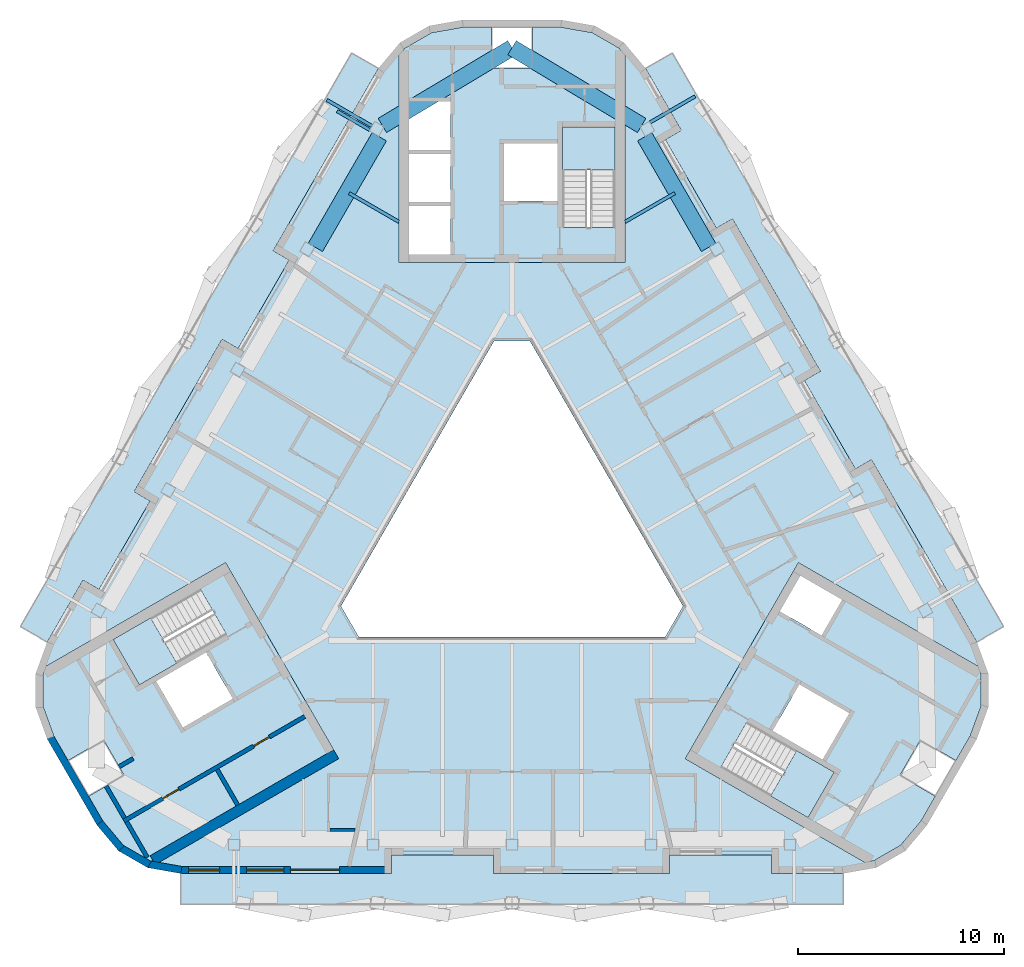
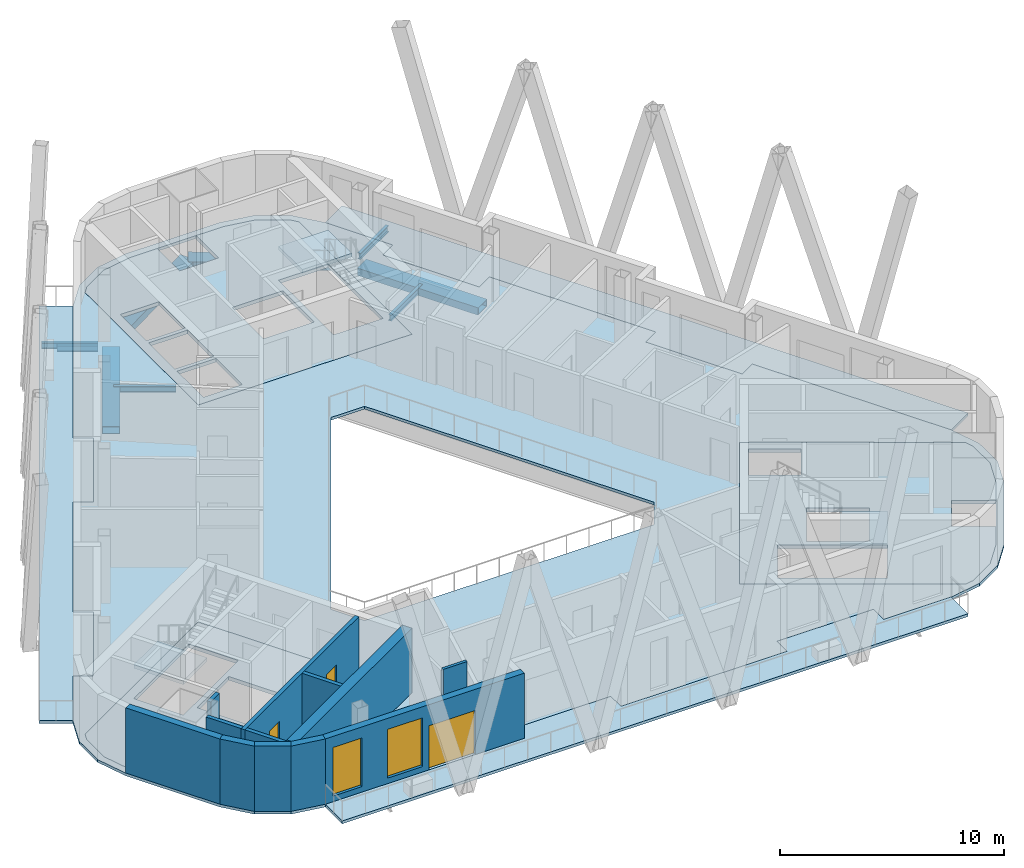
# One storey, part 2 of 12: 12 walls, 10 slabs, 9 beams, 3 doors, 2 windows, 5 openings, 3 elements without a shape of their own.
"""IFC4 building model written with IfcOpenShell, lengths in metres."""

from ifc_helpers import new_model, si_unit, direction, frame, frame_2d, origin, origin_2d, place, context, subcontext, project, spatial, polyline, rectangle, hollow_rectangle, i_section, outline, extrude, material, layer, layer_set, material_profile, profile_set, type_object, element, fill, aggregate, save


model = new_model("IFC4")

# Units and contexts
model_context = context("Model", 3, precision=1e-05, world=origin(), true_north=direction((0.0, 1.0)))
body_context = subcontext(model_context, "Body", "Model", "MODEL_VIEW")
ifc_project = project(units=[si_unit("LENGTHUNIT", "METRE"), si_unit("AREAUNIT", "SQUARE_METRE"), si_unit("VOLUMEUNIT", "CUBIC_METRE"), si_unit("PLANEANGLEUNIT", "RADIAN"), si_unit("MASSUNIT", "GRAM", prefix="KILO")], contexts=[model_context])

# Site, building, storey
site_placement = place(None, origin())
site = spatial("IfcSite", under=ifc_project, at=site_placement, CompositionType="ELEMENT")
building_placement = place(site_placement, origin())
building = spatial("IfcBuilding", under=site, at=building_placement, Name="Apuvela Tower Hotel", CompositionType="ELEMENT")
storey_placement = place(building_placement, frame((0.0, 0.0, 302.199951171875)))
storey = spatial("IfcBuildingStorey", under=building, at=storey_placement, Name="L75", CompositionType="ELEMENT", Elevation=302.199951171875)

# Beams
ifc_material_1 = material(Name="Steel S355", Category="steel")
ifc_material_profile_1 = material_profile(ifc_material_1, i_section(OverallWidth=0.159912109375, OverallDepth=0.330078125, WebThickness=0.007568359375, FlangeThickness=0.011474609375, at=origin_2d()), Name="IPE 330")
ifc_profile_set_1 = profile_set([ifc_material_profile_1], Name="Steel S355")
beam_type_1 = type_object("IfcBeamType", Name="ENV-BALCONY-BEAM-IPE330", PredefinedType="BEAM", material=ifc_profile_set_1)
beam_1_placement = place(storey_placement, frame((6.711181640625, 19.714599609375, -0.31494140625), z_axis=(0.86602137294, 0.500006981563, 0.0), x_axis=(-0.500006981563, 0.86602137294, 0.0)))
element("IfcBeam", 1, at=beam_1_placement, inside=storey, type_object=beam_type_1, Name="Balcony cantilever beam NE3 L75", PredefinedType="BEAM", context=body_context, shape_type="SweptSolid", body=[
    extrude(i_section(OverallWidth=0.159912109375, OverallDepth=0.330078125, WebThickness=0.007568359375, FlangeThickness=0.011474609375, at=origin_2d()), origin(), (0.0, 0.0, 1.0), 2.525390625),
])
beam_2_placement = place(storey_placement, frame((-6.811279296875, 19.54150390625, -0.31494140625), z_axis=(-0.866039067339, 0.499976333282, 0.0), x_axis=(-0.499976333282, -0.866039067339, 0.0)))
element("IfcBeam", 2, at=beam_2_placement, inside=storey, type_object=beam_type_1, Name="Balcony cantilever beam NW1 L75", PredefinedType="BEAM", context=body_context, shape_type="SweptSolid", body=[
    extrude(i_section(OverallWidth=0.159912109375, OverallDepth=0.330078125, WebThickness=0.007568359375, FlangeThickness=0.011474609375, at=origin_2d()), origin(), (0.0, 0.0, 1.0), 2.52490234375),
])
beam_3_placement = place(storey_placement, frame((-6.92138671875, 19.35107421875, -0.31494140625), z_axis=(-0.866036312054, 0.499981105847, 0.0), x_axis=(-0.499981105847, -0.866036312054, 0.0)))
element("IfcBeam", 3, at=beam_3_placement, inside=storey, type_object=beam_type_1, Name="Balcony cantilever beam NW2 L75", PredefinedType="BEAM", context=body_context, shape_type="SweptSolid", body=[
    extrude(i_section(OverallWidth=0.159912109375, OverallDepth=0.330078125, WebThickness=0.007568359375, FlangeThickness=0.011474609375, at=origin_2d()), origin(), (0.0, 0.0, 1.0), 1.82470703125),
])
ifc_material_profile_2 = material_profile(ifc_material_1, i_section(OverallWidth=0.159912109375, OverallDepth=0.330078125, WebThickness=0.007568359375, FlangeThickness=0.011474609375, at=origin_2d()), Name="IPE 330")
ifc_profile_set_2 = profile_set([ifc_material_profile_2], Name="Steel S355")
beam_type_2 = type_object("IfcBeamType", Name="STR-B floor beam IPE 330", PredefinedType="BEAM", material=ifc_profile_set_2)
for number, where, z_axis, x_axis, name in (
    (4, (7.91650390625, 16.27734375, -0.31494140625), (-0.86601074026, -0.500025397109, 0.0), (0.500025397109, -0.86601074026, 0.0), "Floor beam B1 NE8"),
    (5, (-7.91650390625, 16.27734375, -0.31494140625), (0.86601074026, -0.500025397109, 0.0), (0.500025397109, 0.86601074026, 0.0), "Floor beam B1 NW2"),
):
    element("IfcBeam", number, at=place(storey_placement, frame(where, z_axis=z_axis, x_axis=x_axis)), inside=storey, type_object=beam_type_2, Name=name, PredefinedType="BEAM", context=body_context, shape_type="SweptSolid", body=[
        extrude(i_section(OverallWidth=0.159912109375, OverallDepth=0.330078125, WebThickness=0.007568359375, FlangeThickness=0.011474609375, at=origin_2d()), origin(), (0.0, 0.0, 1.0), 2.790283203125),
    ])
ifc_material_2 = material(Name="Steel S460", Category="steel")
ifc_material_profile_3 = material_profile(ifc_material_2, hollow_rectangle(XDim=0.800048828125, YDim=0.39990234375, WallThickness=0.02490234375, at=origin_2d()), Name="BOX 800x400x25")
ifc_profile_set_3 = profile_set([ifc_material_profile_3], Name="Steel S460")
beam_type_3 = type_object("IfcBeamType", Name="STR-RB perimeter ring beam BOX 800x400x25", PredefinedType="SPANDREL", material=ifc_profile_set_3)
for number, where, z_axis, x_axis, name in (
    (6, (9.555419921875, 13.638916015625, -0.39990234375), (-0.500012907384, 0.866017951575, 0.0), (-0.866017951575, -0.500012907384, 0.0), "Ring beam RB1 NE4"),
    (7, (-6.450927734375, 19.015869140625, -0.39990234375), (-0.500012907384, -0.866017951575, 0.0), (0.866017951575, -0.500012907384, 0.0), "Ring beam RB1 NW1"),
):
    element("IfcBeam", number, at=place(storey_placement, frame(where, z_axis=z_axis, x_axis=x_axis)), inside=storey, type_object=beam_type_3, Name=name, PredefinedType="SPANDREL", context=body_context, shape_type="SweptSolid", body=[
        extrude(hollow_rectangle(XDim=0.800048828125, YDim=0.39990234375, WallThickness=0.02490234375, at=origin_2d()), origin(), (0.0, 0.0, 1.0), 6.208740234375),
    ])
for number, where, z_axis, x_axis, name in (
    (8, (6.30322265625, 19.565673828125, -0.39990234375), (-0.857870902617, 0.513865268765, 0.0), (-0.513865268765, -0.857870902617, 0.0), "Ring beam RB1 NE5-N"),
    (9, (-6.30322265625, 19.565673828125, -0.39990234375), (0.857870902617, 0.513865268765, 0.0), (-0.513865268765, 0.857870902617, 0.0), "Ring beam RB1 NW1-N"),
):
    element("IfcBeam", number, at=place(storey_placement, frame(where, z_axis=z_axis, x_axis=x_axis)), inside=storey, type_object=beam_type_3, Name=name, PredefinedType="SPANDREL", context=body_context, shape_type="SweptSolid", body=[
        extrude(hollow_rectangle(XDim=0.800048828125, YDim=0.39990234375, WallThickness=0.02490234375, at=origin_2d()), origin(), (0.0, 0.0, 1.0), 7.347412109375),
    ])

# Slabs
ifc_material_3 = material(Name="Concrete C50/60", Category="concrete")
ifc_layer_1 = layer(ifc_material_3, 0.199951171875)
ifc_layer_set_1 = layer_set([ifc_layer_1], Name="COR-FLOOR-200")
slab_type_1 = type_object("IfcSlabType", Name="COR-FLOOR-200", PredefinedType="FLOOR", material=ifc_layer_set_1)
slab_1_placement = place(storey_placement, frame((0.0, 0.0, -0.199951171875)))
element("IfcSlab", 10, at=slab_1_placement, inside=storey, type_object=slab_type_1, Name="Core floor N", PredefinedType="FLOOR", context=body_context, shape_type="SweptSolid", body=[
    extrude(outline(polyline([(5.5, 22.98046875), (5.216552734375, 23.318115234375), (3.908203125, 24.073486328125), (2.389892578125, 24.34130859375), (1.0, 24.34130859375), (1.0, 22.34130859375), (-1.0, 22.34130859375), (-1.0, 24.34130859375), (-2.389892578125, 24.34130859375), (-3.908203125, 24.073486328125), (-5.216552734375, 23.318115234375), (-5.5, 22.98046875), (-5.5, 12.89990234375), (5.5, 12.89990234375), (5.5, 22.98046875)]), holes=[polyline([(-3.0, 13.300048828125), (-5.0, 13.300048828125), (-5.0, 15.639892578125), (-3.0, 15.639892578125), (-3.0, 13.300048828125)]), polyline([(-3.0, 15.840087890625), (-5.0, 15.840087890625), (-5.0, 18.179931640625), (-3.0, 18.179931640625), (-3.0, 15.840087890625)]), polyline([(5.0, 14.60595703125), (2.449951171875, 14.60595703125), (2.449951171875, 19.5), (5.0, 19.5), (5.0, 14.60595703125)]), polyline([(2.199951171875, 18.699951171875), (2.199951171875, 15.89990234375), (-0.39990234375, 15.89990234375), (-0.39990234375, 18.699951171875), (2.199951171875, 18.699951171875)]), polyline([(-3.0, 20.719970703125), (-3.0, 18.3798828125), (-5.0, 18.3798828125), (-5.0, 20.719970703125), (-3.0, 20.719970703125)])]), origin(), (0.0, 0.0, 1.0), 0.199951171875),
])
slab_2_placement = place(storey_placement, frame((0.0, 0.0, -0.199951171875)))
element("IfcSlab", 11, at=slab_2_placement, inside=storey, type_object=slab_type_1, Name="Core floor SW", PredefinedType="FLOOR", context=body_context, shape_type="SweptSolid", body=[
    extrude(outline(polyline([(-22.651611328125, -6.72705078125), (-22.802490234375, -7.141357421875), (-22.802490234375, -8.652099609375), (-22.275146484375, -10.10107421875), (-21.580078125, -11.3046875), (-19.84814453125, -10.3046875), (-18.84814453125, -12.03662109375), (-20.580078125, -13.03662109375), (-19.88525390625, -14.240234375), (-18.894287109375, -15.42138671875), (-17.585693359375, -16.1767578125), (-17.151611328125, -16.25341796875), (-8.421630859375, -11.213134765625), (-13.921630859375, -1.68701171875), (-22.651611328125, -6.72705078125)]), holes=[polyline([(-13.874267578125, -5.18115234375), (-18.112548828125, -7.628173828125), (-19.387451171875, -5.419921875), (-15.149169921875, -2.972900390625), (-13.874267578125, -5.18115234375)]), polyline([(-13.56982421875, -8.29638671875), (-15.99462890625, -9.6962890625), (-17.294677734375, -7.444580078125), (-14.869873046875, -6.044677734375), (-13.56982421875, -8.29638671875)])]), origin(), (0.0, 0.0, 1.0), 0.199951171875),
])
slab_3_placement = place(storey_placement, frame((0.0, 0.0, -0.199951171875)))
element("IfcSlab", 12, at=slab_3_placement, inside=storey, type_object=slab_type_1, Name="Core floor SE", PredefinedType="FLOOR", context=body_context, shape_type="SweptSolid", body=[
    extrude(outline(polyline([(17.151611328125, -16.25341796875), (17.585693359375, -16.1767578125), (18.894287109375, -15.42138671875), (19.88525390625, -14.240234375), (20.580078125, -13.03662109375), (18.84814453125, -12.03662109375), (19.84814453125, -10.3046875), (21.580078125, -11.3046875), (22.275146484375, -10.10107421875), (22.802490234375, -8.652099609375), (22.802490234375, -7.141357421875), (22.651611328125, -6.72705078125), (13.921630859375, -1.68701171875), (8.421630859375, -11.213134765625), (17.151611328125, -16.25341796875)]), holes=[polyline([(14.01806640625, -2.31982421875), (16.044677734375, -3.489990234375), (15.044677734375, -5.221923828125), (13.01806640625, -4.052001953125), (14.01806640625, -2.31982421875)]), polyline([(10.149169921875, -11.633056640625), (11.42431640625, -9.4248046875), (15.66259765625, -11.871826171875), (14.387451171875, -14.080078125), (10.149169921875, -11.633056640625)]), polyline([(12.669921875, -9.855224609375), (13.9697265625, -7.603515625), (16.394775390625, -9.003662109375), (15.0947265625, -11.25537109375), (12.669921875, -9.855224609375)])]), origin(), (0.0, 0.0, 1.0), 0.199951171875),
])

# Stair, slab
stair_type = type_object("IfcStairType", Name="COR-STAIR-22R", PredefinedType="HALF_TURN_STAIR", material=ifc_material_3)
stair_1_placement = place(storey_placement, origin())
stair_1 = element("IfcStair", 13, at=stair_1_placement, inside=storey, type_object=stair_type, Name="L75 Exit stair ST1", PredefinedType="HALF_TURN_STAIR")
ifc_layer_2 = layer(ifc_material_3, 0.199951171875)
ifc_layer_set_2 = layer_set([ifc_layer_2], Name="COR-LANDING-200")
slab_type_2 = type_object("IfcSlabType", Name="COR-LANDING-200", PredefinedType="LANDING", material=ifc_layer_set_2)
slab_4_placement = place(storey_placement, frame((0.0, 0.0, 1.650146484375)))
slab_4 = element("IfcSlab", 14, at=slab_4_placement, type_object=slab_type_2, Name="ST1 landing 1", PredefinedType="LANDING", context=body_context, shape_type="SweptSolid", body=[
    extrude(outline(polyline([(5.0, 17.39404296875), (5.0, 19.5), (2.449951171875, 19.5), (2.449951171875, 17.39404296875), (5.0, 17.39404296875)])), origin(), (0.0, 0.0, 1.0), 0.199951171875),
])
aggregate(stair_1, [slab_4])

stair_2_placement = place(storey_placement, origin())
stair_2 = element("IfcStair", 15, at=stair_2_placement, inside=storey, type_object=stair_type, Name="L75 Exit stair ST2", PredefinedType="HALF_TURN_STAIR")
slab_5_placement = place(storey_placement, frame((0.0, 0.0, 1.650146484375)))
slab_5 = element("IfcSlab", 16, at=slab_5_placement, type_object=slab_type_2, Name="ST2 landing 1", PredefinedType="LANDING", context=body_context, shape_type="SweptSolid", body=[
    extrude(outline(polyline([(-17.563720703125, -4.366943359375), (-19.387451171875, -5.419921875), (-18.112548828125, -7.628173828125), (-16.28857421875, -6.5751953125), (-17.563720703125, -4.366943359375)])), origin(), (0.0, 0.0, 1.0), 0.199951171875),
])
aggregate(stair_2, [slab_5])

stair_3_placement = place(storey_placement, origin())
stair_3 = element("IfcStair", 17, at=stair_3_placement, inside=storey, type_object=stair_type, Name="L75 Exit stair ST3", PredefinedType="HALF_TURN_STAIR")
slab_6_placement = place(storey_placement, frame((0.0, 0.0, 1.650146484375)))
slab_6 = element("IfcSlab", 18, at=slab_6_placement, type_object=slab_type_2, Name="ST3 landing 1", PredefinedType="LANDING", context=body_context, shape_type="SweptSolid", body=[
    extrude(outline(polyline([(12.563720703125, -13.027099609375), (14.387451171875, -14.080078125), (15.66259765625, -11.871826171875), (13.838623046875, -10.81884765625), (12.563720703125, -13.027099609375)])), origin(), (0.0, 0.0, 1.0), 0.199951171875),
])
aggregate(stair_3, [slab_6])

# Slabs
ifc_material_4 = material(Name="Concrete C40/50, fair-faced", Category="concrete")
ifc_layer_3 = layer(ifc_material_4, 0.14990234375)
ifc_layer_set_3 = layer_set([ifc_layer_3], Name="ENV-BALCONY-150")
slab_type_3 = type_object("IfcSlabType", Name="ENV-BALCONY-150", PredefinedType="FLOOR", material=ifc_layer_set_3)
slab_7_placement = place(storey_placement, frame((0.0, 0.0, -0.14990234375)))
element("IfcSlab", 19, at=slab_7_placement, inside=storey, type_object=slab_type_3, Name="Balcony slab S L75", PredefinedType="FLOOR", context=body_context, shape_type="SweptSolid", body=[
    extrude(outline(polyline([(16.10302734375, -18.299560546875), (-16.10302734375, -18.299560546875), (-16.10302734375, -16.78955078125), (-5.864013671875, -16.78955078125), (-5.864013671875, -15.8896484375), (-0.89501953125, -15.8896484375), (-0.89501953125, -16.78955078125), (7.65380859375, -16.78955078125), (7.65380859375, -15.8896484375), (12.622802734375, -15.8896484375), (12.622802734375, -16.78955078125), (16.10302734375, -16.78955078125), (16.10302734375, -18.299560546875)])), origin(), (0.0, 0.0, 1.0), 0.14990234375),
])
slab_8_placement = place(storey_placement, frame((0.0, 0.0, -0.14990234375)))
element("IfcSlab", 20, at=slab_8_placement, inside=storey, type_object=slab_type_3, Name="Balcony slab NE L75", PredefinedType="FLOOR", context=body_context, shape_type="SweptSolid", body=[
    extrude(outline(polyline([(14.98779296875, 7.61962890625), (10.713134765625, 15.023193359375), (9.933837890625, 14.5732421875), (7.449462890625, 18.87646484375), (8.228759765625, 19.326416015625), (6.48876953125, 22.34033203125), (7.79638671875, 23.095458984375), (23.8994140625, -4.7958984375), (22.591796875, -5.55078125), (17.47216796875, 3.31640625), (16.692626953125, 2.866455078125), (14.208251953125, 7.169677734375), (14.98779296875, 7.61962890625)])), origin(), (0.0, 0.0, 1.0), 0.14990234375),
])
slab_9_placement = place(storey_placement, frame((0.0, 0.0, -0.14990234375)))
element("IfcSlab", 21, at=slab_9_placement, inside=storey, type_object=slab_type_3, Name="Balcony slab NW L75", PredefinedType="FLOOR", context=body_context, shape_type="SweptSolid", body=[
    extrude(outline(polyline([(-23.8994140625, -4.7958984375), (-7.79638671875, 23.095458984375), (-6.48876953125, 22.34033203125), (-11.608154296875, 13.47314453125), (-10.828857421875, 13.023193359375), (-13.313232421875, 8.719970703125), (-14.0927734375, 9.169921875), (-18.3671875, 1.766357421875), (-17.587646484375, 1.31640625), (-20.072265625, -2.98681640625), (-20.8515625, -2.536865234375), (-22.591796875, -5.55078125), (-23.8994140625, -4.7958984375)])), origin(), (0.0, 0.0, 1.0), 0.14990234375),
])
ifc_material_5 = material(Name="Concrete C35/45", Category="concrete")
ifc_layer_4 = layer(ifc_material_5, 0.14990234375)
ifc_layer_set_4 = layer_set([ifc_layer_4], Name="STR-SLAB 150 floor Concrete C35/45")
slab_type_4 = type_object("IfcSlabType", Name="STR-SLAB 150 floor Concrete C35/45", PredefinedType="FLOOR", material=ifc_layer_set_4)
slab_10_placement = place(storey_placement, frame((0.0, 0.0, -0.14990234375)))
element("IfcSlab", 22, at=slab_10_placement, inside=storey, type_object=slab_type_4, Name="Floor slab S4 L75", PredefinedType="FLOOR", context=body_context, shape_type="SweptSolid", body=[
    extrude(outline(polyline([(-5.445068359375, 23.59033203125), (-4.02978515625, 24.40771484375), (-2.42041015625, 24.69140625), (2.42041015625, 24.69140625), (4.02978515625, 24.40771484375), (5.445068359375, 23.59033203125), (6.49560546875, 22.338623046875), (8.235595703125, 19.32470703125), (7.456298828125, 18.87451171875), (9.935546875, 14.580078125), (10.715087890625, 15.030029296875), (14.994384765625, 7.617919921875), (14.215087890625, 7.16796875), (16.694580078125, 2.873291015625), (17.47412109375, 3.3232421875), (22.593505859375, -5.5439453125), (23.15234375, -7.07958984375), (23.15234375, -8.7138671875), (22.593505859375, -10.24951171875), (20.173095703125, -14.44189453125), (19.122802734375, -15.693603515625), (17.70751953125, -16.5107421875), (16.097900390625, -16.794677734375), (12.617919921875, -16.794677734375), (12.617919921875, -15.89453125), (7.658935546875, -15.89453125), (7.658935546875, -16.794677734375), (-0.89990234375, -16.794677734375), (-0.89990234375, -15.89453125), (-5.85888671875, -15.89453125), (-5.85888671875, -16.794677734375), (-16.097900390625, -16.794677734375), (-17.70751953125, -16.5107421875), (-19.122802734375, -15.693603515625), (-20.173095703125, -14.44189453125), (-22.593505859375, -10.24951171875), (-23.15234375, -8.7138671875), (-23.15234375, -7.07958984375), (-22.593505859375, -5.5439453125), (-20.853515625, -2.530029296875), (-20.073974609375, -2.97998046875), (-17.594482421875, 1.314453125), (-18.3740234375, 1.764404296875), (-14.094482421875, 9.1767578125), (-13.315185546875, 8.726806640625), (-10.835693359375, 13.021240234375), (-11.614990234375, 13.47119140625), (-6.49560546875, 22.338623046875), (-5.445068359375, 23.59033203125)]), holes=[polyline([(0.865966796875, 9.10009765625), (-0.865966796875, 9.10009765625), (-8.313720703125, -3.800048828125), (-7.44775390625, -5.300048828125), (7.44775390625, -5.300048828125), (8.313720703125, -3.800048828125), (0.865966796875, 9.10009765625)]), polyline([(-5.5, 12.89990234375), (-5.5, 22.98046875), (-5.216552734375, 23.318115234375), (-3.908203125, 24.073486328125), (-2.389892578125, 24.34130859375), (2.389892578125, 24.34130859375), (3.908203125, 24.073486328125), (5.216552734375, 23.318115234375), (5.5, 22.98046875), (5.5, 12.89990234375), (-5.5, 12.89990234375)]), polyline([(-8.421630859375, -11.213134765625), (-17.151611328125, -16.25341796875), (-17.585693359375, -16.1767578125), (-18.894287109375, -15.42138671875), (-19.88525390625, -14.240234375), (-22.275146484375, -10.10107421875), (-22.802490234375, -8.652099609375), (-22.802490234375, -7.141357421875), (-22.651611328125, -6.72705078125), (-13.921630859375, -1.68701171875), (-8.421630859375, -11.213134765625)]), polyline([(13.921630859375, -1.68701171875), (22.651611328125, -6.72705078125), (22.802490234375, -7.141357421875), (22.802490234375, -8.652099609375), (22.275146484375, -10.10107421875), (19.88525390625, -14.240234375), (18.894287109375, -15.42138671875), (17.585693359375, -16.1767578125), (17.151611328125, -16.25341796875), (8.421630859375, -11.213134765625), (13.921630859375, -1.68701171875)])]), origin(), (0.0, 0.0, 1.0), 0.14990234375),
])

# Wall
ifc_layer_5 = layer(ifc_material_3, 0.5)
ifc_layer_set_5 = layer_set([ifc_layer_5], Name="COR-WALL-CORE-500")
wall_type_1 = type_object("IfcWallType", Name="COR-WALL-CORE-500", PredefinedType="SHEAR", material=ifc_layer_set_5)
wall_1_placement = place(storey_placement, frame((-8.546630859375, -10.99658203125, 0.0), z_axis=(0.0, 0.0, 1.0), x_axis=(-0.866027279078, -0.499996751883, 0.0)))
element("IfcWall", 23, at=wall_1_placement, inside=storey, type_object=wall_type_1, Name="Core wall SW", PredefinedType="SHEAR", context=body_context, shape_type="SweptSolid", body=[
    extrude(rectangle(XDim=10.29833984375, YDim=0.5, at=frame_2d((5.149169921875, 0.0))), origin(), (0.0, 0.0, 1.0), 3.5),
])

# Wall, openings, doors
ifc_layer_6 = layer(ifc_material_3, 0.199951171875)
ifc_layer_set_6 = layer_set([ifc_layer_6], Name="COR-WALL-SHAFT-200")
wall_type_2 = type_object("IfcWallType", Name="COR-WALL-SHAFT-200", PredefinedType="SHEAR", material=ifc_layer_set_6)
wall_2_placement = place(storey_placement, frame((-10.068115234375, -9.16162109375, 0.0), z_axis=(0.0, 0.0, 1.0), x_axis=(-0.866032725843, -0.499987317609, 0.0)))
wall_2 = element("IfcWall", 24, at=wall_2_placement, inside=storey, type_object=wall_type_2, Name="Shaft wall SW", PredefinedType="SHEAR", context=body_context, shape_type="SweptSolid", body=[
    extrude(rectangle(XDim=10.159912109375, YDim=0.199951171875, at=frame_2d((5.080078125, 0.0))), origin(), (0.0, 0.0, 1.0), 3.5),
])
opening_1_placement = place(wall_2_placement, frame((1.989990234375, 0.0, 0.0)))
opening_1 = element("IfcOpeningElement", 25, at=opening_1_placement, cuts=wall_2, Name="Opening W-RE1", PredefinedType="OPENING", context=body_context, shape_type="SweptSolid", body=[
    extrude(rectangle(XDim=0.89990234375, YDim=2.10009765625, at=frame_2d((0.449951171875, 1.050048828125))), frame((0.0, 0.10986328125, 0.0), z_axis=(0.0, -1.0, 0.0), x_axis=(1.0, 0.0, 0.0)), (0.0, 0.0, 1.0), 0.219970703125),
])
opening_2_placement = place(wall_2_placement, frame((7.070068359375, 0.0, 0.0)))
opening_2 = element("IfcOpeningElement", 26, at=opening_2_placement, cuts=wall_2, Name="Opening W-RE3", PredefinedType="OPENING", context=body_context, shape_type="SweptSolid", body=[
    extrude(rectangle(XDim=0.89990234375, YDim=2.10009765625, at=frame_2d((0.449951171875, 1.050048828125))), frame((0.0, 0.10986328125, 0.0), z_axis=(0.0, -1.0, 0.0), x_axis=(1.0, 0.0, 0.0)), (0.0, 0.0, 1.0), 0.219970703125),
])
ifc_material_6 = material(Name="Steel fire door, powder coated", Category="steel")
door_type_1 = type_object("IfcDoorType", Name="COR-DR-900", OperationType="NOTDEFINED", PredefinedType="DOOR", material=ifc_material_6)
door_1_placement = place(opening_1_placement, origin())
door_1 = element("IfcDoor", 27, at=door_1_placement, inside=storey, type_object=door_type_1, Name="Store door W-RE1", OperationType="SINGLE_SWING_LEFT", OverallHeight=2.10009765625, OverallWidth=0.89990234375, PredefinedType="DOOR", context=body_context, shape_type="SweptSolid", body=[
    extrude(rectangle(XDim=0.89990234375, YDim=2.10009765625, at=frame_2d((0.449951171875, 1.050048828125))), frame((0.0, 0.02490234375, 0.0), z_axis=(0.0, -1.0, 0.0), x_axis=(1.0, 0.0, 0.0)), (0.0, 0.0, 1.0), 0.050048828125),
])
fill(opening_1, door_1)
door_2_placement = place(opening_2_placement, origin())
door_2 = element("IfcDoor", 28, at=door_2_placement, inside=storey, type_object=door_type_1, Name="Store door W-RE3", OperationType="SINGLE_SWING_LEFT", OverallHeight=2.10009765625, OverallWidth=0.89990234375, PredefinedType="DOOR", context=body_context, shape_type="SweptSolid", body=[
    extrude(rectangle(XDim=0.89990234375, YDim=2.10009765625, at=frame_2d((0.449951171875, 1.050048828125))), frame((0.0, 0.02490234375, 0.0), z_axis=(0.0, -1.0, 0.0), x_axis=(1.0, 0.0, 0.0)), (0.0, 0.0, 1.0), 0.050048828125),
])
fill(opening_2, door_2)

# Walls
wall_3_placement = place(storey_placement, frame((-19.73046875, -12.5458984375, 0.0), z_axis=(0.0, 0.0, 1.0), x_axis=(0.500004188491, -0.866022985545, 0.0)))
element("IfcWall", 29, at=wall_3_placement, inside=storey, type_object=wall_type_2, Name="Shaft wall SW", PredefinedType="SHEAR", context=body_context, shape_type="SweptSolid", body=[
    extrude(rectangle(XDim=1.80029296875, YDim=0.199951171875, at=frame_2d((0.900146484375, 0.0))), origin(), (0.0, 0.0, 1.0), 3.5),
])
wall_4_placement = place(storey_placement, frame((-18.412841796875, -11.2080078125, 0.0), z_axis=(0.0, 0.0, 1.0), x_axis=(-0.86597493103, -0.500087411186, 0.0)))
element("IfcWall", 30, at=wall_4_placement, inside=storey, type_object=wall_type_2, Name="Shaft wall SW", PredefinedType="SHEAR", context=body_context, shape_type="SweptSolid", body=[
    extrude(rectangle(XDim=0.791259765625, YDim=0.199951171875, at=frame_2d((0.3955078125, 0.0))), origin(), (0.0, 0.0, 1.0), 3.5),
])
for number, where, z_axis, x_axis, name in (
    (31, (-14.330810546875, -11.738037109375, 0.0), (0.0, 0.0, 1.0), (0.499972520799, -0.866041268327, 0.0), "Shaft wall SW"),
    (32, (-18.73046875, -14.278076171875, 0.0), (0.0, 0.0, 1.0), (0.50002537861, -0.866010750942, 0.0), "Shaft wall SW"),
):
    element("IfcWall", number, at=place(storey_placement, frame(where, z_axis=z_axis, x_axis=x_axis)), inside=storey, type_object=wall_type_2, Name=name, PredefinedType="SHEAR", context=body_context, shape_type="SweptSolid", body=[
        extrude(rectangle(XDim=2.0, YDim=0.199951171875, at=frame_2d((1.0, 0.0))), origin(), (0.0, 0.0, 1.0), 3.5),
    ])
ifc_material_7 = material(Name="Concrete C40/50, dark pigmented precast panel", Category="concrete")
ifc_layer_7 = layer(ifc_material_7, 0.35009765625)
ifc_layer_set_7 = layer_set([ifc_layer_7], Name="ENV-WALL-350")
wall_type_3 = type_object("IfcWallType", Name="ENV-WALL-350", PredefinedType="SOLIDWALL", material=ifc_layer_set_7)
wall_5_placement = place(storey_placement, frame((-22.44189453125, -10.162109375, 0.0), z_axis=(0.0, 0.0, 1.0), x_axis=(0.500012048649, -0.866018447382, 0.0)))
element("IfcWall", 33, at=wall_5_placement, inside=storey, type_object=wall_type_3, Name="External wall L75-13", PredefinedType="SOLIDWALL", context=body_context, shape_type="SweptSolid", body=[
    extrude(rectangle(XDim=4.8408203125, YDim=0.35009765625, at=frame_2d((2.42041015625, 0.0))), origin(), (0.0, 0.0, 1.0), 3.550048828125),
])
wall_6_placement = place(storey_placement, frame((-20.0390625, -14.329345703125, 0.0), z_axis=(0.0, 0.0, 1.0), x_axis=(0.642708448155, -0.766110860562, 0.0)))
element("IfcWall", 34, at=wall_6_placement, inside=storey, type_object=wall_type_3, Name="External wall L75-14", PredefinedType="SOLIDWALL", context=body_context, shape_type="SweptSolid", body=[
    extrude(rectangle(XDim=1.63427734375, YDim=0.35009765625, at=frame_2d((0.817138671875, 0.0))), origin(), (0.0, 0.0, 1.0), 3.550048828125),
])
wall_7_placement = place(storey_placement, frame((-19.03515625, -15.542236328125, 0.0), z_axis=(0.0, 0.0, 1.0), x_axis=(0.866083589932, -0.499899205091, 0.0)))
element("IfcWall", 35, at=wall_7_placement, inside=storey, type_object=wall_type_3, Name="External wall L75-15", PredefinedType="SOLIDWALL", context=body_context, shape_type="SweptSolid", body=[
    extrude(rectangle(XDim=1.634033203125, YDim=0.35009765625, at=frame_2d((0.81689453125, 0.0))), origin(), (0.0, 0.0, 1.0), 3.550048828125),
])
wall_8_placement = place(storey_placement, frame((-17.677001953125, -16.33837890625, 0.0), z_axis=(0.0, 0.0, 1.0), x_axis=(0.98479107762, -0.173742721977, 0.0)))
element("IfcWall", 36, at=wall_8_placement, inside=storey, type_object=wall_type_3, Name="External wall L75-16", PredefinedType="SOLIDWALL", context=body_context, shape_type="SweptSolid", body=[
    extrude(rectangle(XDim=1.63427734375, YDim=0.35009765625, at=frame_2d((0.817138671875, 0.0))), origin(), (0.0, 0.0, 1.0), 3.550048828125),
])

# Wall, openings, door, windows
wall_9_placement = place(storey_placement, frame((-16.097900390625, -16.61962890625, 0.0), z_axis=(0.0, 0.0, 1.0), x_axis=(1.0, 0.0, 0.0)))
wall_9 = element("IfcWall", 37, at=wall_9_placement, inside=storey, type_object=wall_type_3, Name="External wall L75-17", PredefinedType="SOLIDWALL", context=body_context, shape_type="SweptSolid", body=[
    extrude(rectangle(XDim=10.239013671875, YDim=0.35009765625, at=frame_2d((5.11962890625, 0.0))), origin(), (0.0, 0.0, 1.0), 3.550048828125),
])
opening_3_placement = place(wall_9_placement, frame((0.380615234375, 0.0, 0.300048828125)))
opening_3 = element("IfcOpeningElement", 38, at=opening_3_placement, cuts=wall_9, Name="Opening WN15", PredefinedType="OPENING", context=body_context, shape_type="SweptSolid", body=[
    extrude(rectangle(XDim=1.5, YDim=2.64990234375, at=frame_2d((0.75, 1.324951171875))), frame((0.0, 0.18505859375, 0.0), z_axis=(0.0, -1.0, 0.0), x_axis=(1.0, 0.0, 0.0)), (0.0, 0.0, 1.0), 0.3701171875),
])
opening_4_placement = place(wall_9_placement, frame((5.32080078125, 0.0, 0.0)))
opening_4 = element("IfcOpeningElement", 39, at=opening_4_placement, cuts=wall_9, Name="Opening BD24", PredefinedType="OPENING", context=body_context, shape_type="SweptSolid", body=[
    extrude(rectangle(XDim=2.39990234375, YDim=2.39990234375, at=frame_2d((1.199951171875, 1.199951171875))), frame((0.0, 0.18505859375, 0.0), z_axis=(0.0, -1.0, 0.0), x_axis=(1.0, 0.0, 0.0)), (0.0, 0.0, 1.0), 0.3701171875),
])
opening_5_placement = place(wall_9_placement, frame((3.204833984375, 0.0, 0.300048828125)))
opening_5 = element("IfcOpeningElement", 40, at=opening_5_placement, cuts=wall_9, Name="Opening WN18", PredefinedType="OPENING", context=body_context, shape_type="SweptSolid", body=[
    extrude(rectangle(XDim=1.800048828125, YDim=2.64990234375, at=frame_2d((0.89990234375, 1.324951171875))), frame((0.0, 0.18505859375, 0.0), z_axis=(0.0, -1.0, 0.0), x_axis=(1.0, 0.0, 0.0)), (0.0, 0.0, 1.0), 0.3701171875),
])
ifc_material_8 = material(Name="Aluminium 6063-T6, dark bronze anodised frame with dark tinted laminated glass", Category="aluminium")
door_type_2 = type_object("IfcDoorType", Name="ENV-DOOR-BALCONY-2400x2400", OperationType="SLIDING_TO_LEFT", PredefinedType="DOOR", material=ifc_material_8)
door_3_placement = place(opening_4_placement, frame((2.39990234375, 0.0, 0.0), z_axis=(0.0, 0.0, 1.0), x_axis=(-1.0, 0.0, 0.0)))
door_3 = element("IfcDoor", 41, at=door_3_placement, inside=storey, type_object=door_type_2, Name="Balcony door BD24", OperationType="SLIDING_TO_LEFT", OverallHeight=2.39990234375, OverallWidth=2.39990234375, PredefinedType="DOOR", context=body_context, shape_type="SweptSolid", body=[
    extrude(rectangle(XDim=2.39990234375, YDim=2.39990234375, at=frame_2d((1.199951171875, 1.199951171875))), frame((0.0, 0.02490234375, 0.0), z_axis=(0.0, -1.0, 0.0), x_axis=(1.0, 0.0, 0.0)), (0.0, 0.0, 1.0), 0.050048828125),
])
fill(opening_4, door_3)
ifc_material_9 = material(Name="Glass, dark tinted laminated insulated glazing unit", Category="glass")
window_type_1 = type_object("IfcWindowType", Name="ENV-WIN-1500x2650", PartitioningType="SINGLE_PANEL", PredefinedType="WINDOW", material=ifc_material_9)
window_1_placement = place(opening_3_placement, origin())
window_1 = element("IfcWindow", 42, at=window_1_placement, inside=storey, type_object=window_type_1, Name="Window WN15", OverallHeight=2.64990234375, OverallWidth=1.5, PartitioningType="SINGLE_PANEL", PredefinedType="WINDOW", context=body_context, shape_type="SweptSolid", body=[
    extrude(rectangle(XDim=1.5, YDim=2.64990234375, at=frame_2d((0.75, 1.324951171875))), frame((0.0, 0.030029296875, 0.0), z_axis=(0.0, -1.0, 0.0), x_axis=(1.0, 0.0, 0.0)), (0.0, 0.0, 1.0), 0.06005859375),
])
fill(opening_3, window_1)
window_type_2 = type_object("IfcWindowType", Name="ENV-WIN-1800x2650", PartitioningType="SINGLE_PANEL", PredefinedType="WINDOW", material=ifc_material_9)
window_2_placement = place(opening_5_placement, origin())
window_2 = element("IfcWindow", 43, at=window_2_placement, inside=storey, type_object=window_type_2, Name="Window WN18", OverallHeight=2.64990234375, OverallWidth=1.800048828125, PartitioningType="SINGLE_PANEL", PredefinedType="WINDOW", context=body_context, shape_type="SweptSolid", body=[
    extrude(rectangle(XDim=1.800048828125, YDim=2.64990234375, at=frame_2d((0.89990234375, 1.324951171875))), frame((0.0, 0.030029296875, 0.0), z_axis=(0.0, -1.0, 0.0), x_axis=(1.0, 0.0, 0.0)), (0.0, 0.0, 1.0), 0.06005859375),
])
fill(opening_5, window_2)

# Wall
ifc_material_10 = material(Name="Moisture-resistant gypsum board wet wall on steel stud", Category="steel")
ifc_layer_8 = layer(ifc_material_10, 0.14990234375)
ifc_layer_set_8 = layer_set([ifc_layer_8], Name="GST-PW3")
wall_type_4 = type_object("IfcWallType", Name="GST-PW3", PredefinedType="PARTITIONING", material=ifc_layer_set_8)
wall_10_placement = place(storey_placement, frame((-8.84619140625, -14.669677734375, 0.0), z_axis=(0.0, 0.0, 1.0), x_axis=(1.0, 0.0, 0.0)))
element("IfcWall", 44, at=wall_10_placement, inside=storey, type_object=wall_type_4, Name="L75 partition 14", PredefinedType="PARTITIONING", context=body_context, shape_type="SweptSolid", body=[
    extrude(rectangle(XDim=1.222412109375, YDim=0.14990234375, at=frame_2d((0.611328125, 0.0))), origin(), (0.0, 0.0, 1.0), 3.550048828125),
])

save(model, "model.ifc")
